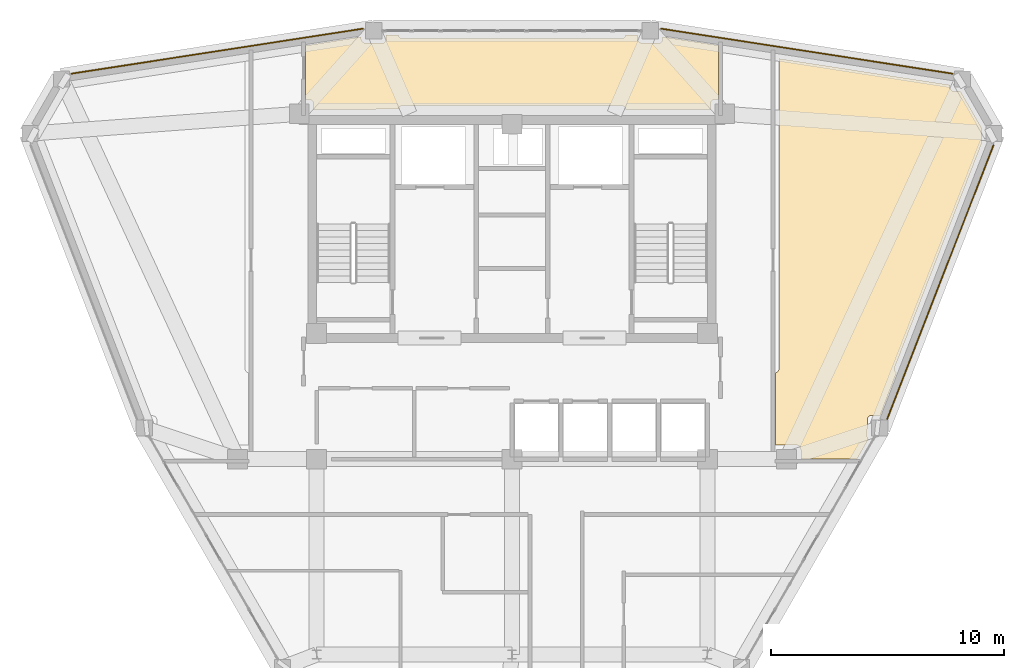
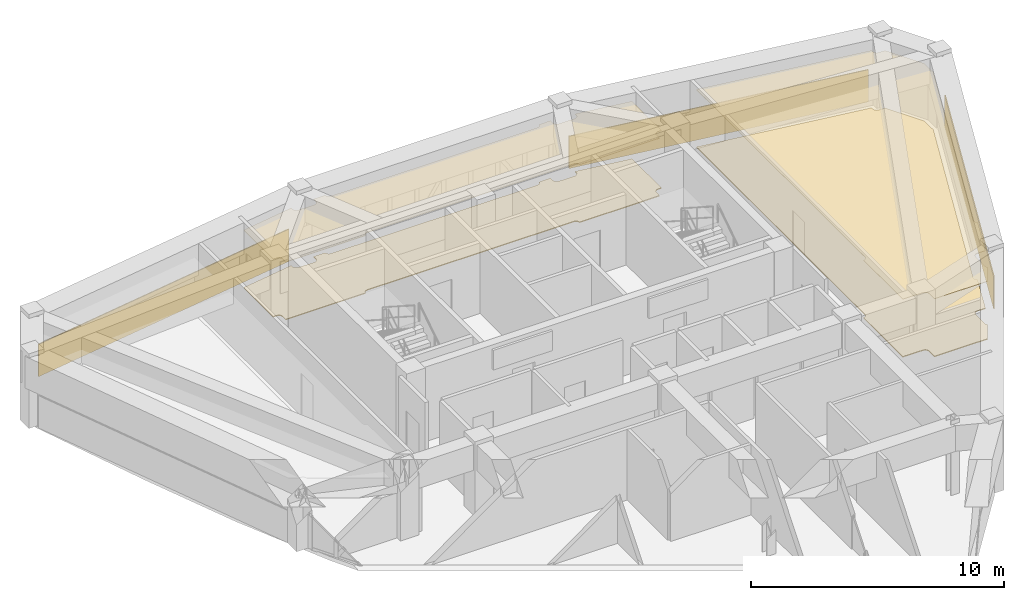
# One storey, part 16 of 16: 7 coverings.
"""IFC4 building model written with IfcOpenShell, lengths in metres."""

import ifcopenshell
import ifcopenshell.guid

model = None  # the IFC model being written
_history = None  # IfcOwnerHistory: only IFC2X3 demands one
_inside = {}  # id of a spatial element -> (the spatial element, [elements in it])
_under = {}  # id of a project, library or spatial element -> (it, [spatial elements below it])
_declared = {}  # id of a project -> (the project, [libraries it declares])
_typed = {}  # id of a type object -> (the type object, [elements of that type])
_made_of = {}  # id of a material, layer set ... -> (it, [elements and type objects made of it])


def new_model(schema):
    """Start an empty IFC model of exactly this schema.

    Asked for "IFC4X3", IfcOpenShell would pick the latest addendum, in which some entities
    have other attributes; the version numbers below select the first issue.
    IFC2X3 requires an IfcOwnerHistory on every rooted entity: one is made here for all.
    """
    global model, _history
    if schema == "IFC4X3":
        model = ifcopenshell.file(schema_version=(4, 3, 0, 0))
    else:
        model = ifcopenshell.file(schema=schema)
    _inside.clear()
    _under.clear()
    _declared.clear()
    _typed.clear()
    _made_of.clear()
    _history = None
    if model.schema == "IFC2X3":
        org = make("IfcOrganization", Name="unknown")
        user = make(
            "IfcPersonAndOrganization",
            ThePerson=make("IfcPerson", FamilyName="unknown"),
            TheOrganization=org,
        )
        app = make(
            "IfcApplication",
            ApplicationDeveloper=org,
            Version="unknown",
            ApplicationFullName="unknown",
            ApplicationIdentifier="unknown",
        )
        _history = make(
            "IfcOwnerHistory",
            OwningUser=user,
            OwningApplication=app,
            ChangeAction="ADDED",
            CreationDate=0,
        )
    return model


def make(cls, **values):
    """One entity of the class cls with the attributes given. An attribute that is None is left unset."""
    return model.create_entity(
        cls, **{name: value for name, value in values.items() if value is not None}
    )


def rooted(cls, **values):
    """An entity with a GlobalId (a new one), such as an element, a storey or a relation."""
    return make(cls, GlobalId=ifcopenshell.guid.new(), OwnerHistory=_history, **values)


def si_unit(unit_type, name, prefix=None):
    """IfcSIUnit, for example si_unit("LENGTHUNIT", "METRE", prefix="MILLI")."""
    return make("IfcSIUnit", UnitType=unit_type, Prefix=prefix, Name=name)


def derived_unit(unit_type, elements):
    """IfcDerivedUnit: a product of units, each with its exponent."""
    return make(
        "IfcDerivedUnit",
        Elements=[
            make("IfcDerivedUnitElement", Unit=unit, Exponent=power)
            for unit, power in elements
        ],
        UnitType=unit_type,
    )


def assignment(units):
    """IfcUnitAssignment: the units of a project."""
    return None if units is None else make("IfcUnitAssignment", Units=units)


def point(xyz):
    """IfcCartesianPoint."""
    return None if xyz is None else make("IfcCartesianPoint", Coordinates=xyz)


def direction(xyz):
    """IfcDirection."""
    return None if xyz is None else make("IfcDirection", DirectionRatios=xyz)


def frame(location, z_axis=None, x_axis=None):
    """IfcAxis2Placement3D, a coordinate frame: its origin and axes. An axis left out is left unset."""
    return make(
        "IfcAxis2Placement3D",
        Location=point(location),
        Axis=direction(z_axis),
        RefDirection=direction(x_axis),
    )


def origin():
    """The frame at (0, 0, 0) with its axes left unset."""
    return frame((0.0, 0.0, 0.0))


def place(relative_to, where):
    """IfcLocalPlacement: puts the frame where relative to a parent placement (None: the world)."""
    return make(
        "IfcLocalPlacement", PlacementRelTo=relative_to, RelativePlacement=where
    )


def context(
    kind, dimensions, precision=None, world=None, true_north=None, identifier=None
):
    """IfcGeometricRepresentationContext, for example the 3D "Model" context."""
    return make(
        "IfcGeometricRepresentationContext",
        ContextIdentifier=identifier,
        ContextType=kind,
        CoordinateSpaceDimension=dimensions,
        Precision=precision,
        WorldCoordinateSystem=world,
        TrueNorth=true_north,
    )


def subcontext(parent, identifier, kind, view, scale=None):
    """IfcGeometricRepresentationSubContext, for example "Body" below "Model"."""
    return make(
        "IfcGeometricRepresentationSubContext",
        ContextIdentifier=identifier,
        ContextType=kind,
        ParentContext=parent,
        TargetScale=scale,
        TargetView=view,
    )


def project(units=None, contexts=None):
    """IfcProject with its units and contexts."""
    return rooted(
        "IfcProject",
        Name="project",
        RepresentationContexts=contexts,
        UnitsInContext=assignment(units),
    )


def spatial(cls, under=None, at=None, **own):
    """A site, building, storey or space (cls), placed at a placement, below another one or the project."""
    s = rooted(cls, ObjectPlacement=at, **own)
    if under is not None:
        _under.setdefault(under.id(), (under, []))[1].append(s)
    return s


def polyline(points):
    """IfcPolyline through the points."""
    return make("IfcPolyline", Points=[point(p) for p in points])


def outline(outer, holes=None, kind="AREA"):
    """IfcArbitraryClosedProfileDef: a profile drawn as a closed curve; with holes, ...WithVoids."""
    if holes is None:
        return make("IfcArbitraryClosedProfileDef", ProfileType=kind, OuterCurve=outer)
    return make(
        "IfcArbitraryProfileDefWithVoids",
        ProfileType=kind,
        OuterCurve=outer,
        InnerCurves=holes,
    )


def extrude(swept, where, along, depth):
    """IfcExtrudedAreaSolid: the profile swept, set in the frame where, extruded along a direction by depth."""
    return make(
        "IfcExtrudedAreaSolid",
        SweptArea=swept,
        Position=where,
        ExtrudedDirection=direction(along),
        Depth=depth,
    )


def shape(context_of_items, identifier, shape_type, items):
    """IfcShapeRepresentation: the items that make up one representation, for example the "Body"."""
    return make(
        "IfcShapeRepresentation",
        ContextOfItems=context_of_items,
        RepresentationIdentifier=identifier,
        RepresentationType=shape_type,
        Items=items,
    )


def material(Name=None, Category=None):
    """IfcMaterial."""
    return make("IfcMaterial", Name=Name, Category=Category)


def layer(
    of_material, thickness, ventilated=None, Name=None, Category=None, Priority=None
):
    """IfcMaterialLayer: one layer of a wall or slab, of a material (None: an air gap)."""
    return make(
        "IfcMaterialLayer",
        Material=of_material,
        LayerThickness=thickness,
        IsVentilated=ventilated,
        Name=Name,
        Category=Category,
        Priority=Priority,
    )


def layer_set(layers, Name=None):
    """IfcMaterialLayerSet."""
    return make("IfcMaterialLayerSet", MaterialLayers=layers, LayerSetName=Name)


def made_of(thing, what):
    """Note that an element or type object is made of a material, layer set ...; save() writes the relation."""
    if what is not None:
        _made_of.setdefault(what.id(), (what, []))[1].append(thing)
    return thing


def type_object(cls, material=None, **own):
    """A type object (cls), such as IfcWallType, which elements share."""
    return made_of(rooted(cls, **own), material)


def element(
    cls,
    number,
    at=None,
    inside=None,
    cuts=None,
    type_object=None,
    material=None,
    context=None,
    identifier="Body",
    shape_type=None,
    held_by="IfcProductDefinitionShape",
    body=None,
    shapes=None,
    **own,
):
    """One element of the class cls, such as IfcWall. Its Tag is "e" and its number.

    at: its placement. inside: the storey or other place that contains it. cuts: it is an
    opening in that element (IfcRelVoidsElement). A single representation is given by context,
    identifier, shape_type and body (its items); several are given by shapes. held_by: the class
    of the entity that holds the representations. save() writes the other relations.
    """
    e = rooted(cls, Tag="e%d" % number, ObjectPlacement=at, **own)
    if body is not None:
        shapes = [shape(context, identifier, shape_type, body)]
    if shapes is not None:
        e.Representation = make(held_by, Representations=shapes)
    if inside is not None:
        _inside.setdefault(inside.id(), (inside, []))[1].append(e)
    if cuts is not None:
        rooted(
            "IfcRelVoidsElement", RelatingBuildingElement=cuts, RelatedOpeningElement=e
        )
    if type_object is not None:
        _typed.setdefault(type_object.id(), (type_object, []))[1].append(e)
    return made_of(e, material)


def aggregate(whole, parts):
    """IfcRelAggregates: a whole, such as a stair, and the parts it consists of."""
    return rooted("IfcRelAggregates", RelatingObject=whole, RelatedObjects=parts)


def save(model, path):
    """Write the relations noted so far, then the file.

    IfcRelAggregates (storeys below a building ...), IfcRelContainedInSpatialStructure (elements
    in a storey), IfcRelDefinesByType, IfcRelAssociatesMaterial and IfcRelDeclares: one each for
    every whole, place, type object, material and project.
    """
    for whole, parts in _under.values():
        aggregate(whole, parts)
    for where, things in _inside.values():
        rooted(
            "IfcRelContainedInSpatialStructure",
            RelatedElements=things,
            RelatingStructure=where,
        )
    for kind, things in _typed.values():
        rooted("IfcRelDefinesByType", RelatedObjects=things, RelatingType=kind)
    for what, things in _made_of.values():
        rooted("IfcRelAssociatesMaterial", RelatedObjects=things, RelatingMaterial=what)
    for by, libraries in _declared.values():
        rooted("IfcRelDeclares", RelatingContext=by, RelatedDefinitions=libraries)
    model.write(path)


model = new_model("IFC4")

# Units and contexts
model_context = context("Model", 3, precision=1e-05, world=origin(), true_north=direction((0.0, 1.0)))
body_context = subcontext(model_context, "Body", "Model", "MODEL_VIEW")
ifc_project = project(units=[si_unit("LENGTHUNIT", "METRE"), si_unit("AREAUNIT", "SQUARE_METRE"), si_unit("VOLUMEUNIT", "CUBIC_METRE"), si_unit("PLANEANGLEUNIT", "RADIAN"), si_unit("MASSUNIT", "GRAM", prefix="KILO"), derived_unit("THERMALTRANSMITTANCEUNIT", [(si_unit("POWERUNIT", "WATT"), 1), (si_unit("LENGTHUNIT", "METRE"), -2), (si_unit("THERMODYNAMICTEMPERATUREUNIT", "KELVIN"), -1)])], contexts=[model_context])

# Site, building, storey
site_placement = place(None, origin())
site = spatial("IfcSite", under=ifc_project, at=site_placement, CompositionType="ELEMENT")
building_placement = place(site_placement, origin())
building = spatial("IfcBuilding", under=site, at=building_placement, Name="Korsvarv Bourse and Concert Hall", CompositionType="ELEMENT")
storey_placement = place(building_placement, frame((0.0, 0.0, 261.0)))
storey = spatial("IfcBuildingStorey", under=building, at=storey_placement, Name="L68", CompositionType="ELEMENT", Elevation=261.0)

# Coverings
ifc_material_1 = material(Name="Perforated mineral-wool and birch acoustic baffle ceiling", Category="wood")
ifc_layer_1 = layer(ifc_material_1, 0.02490234375)
ifc_layer_set_1 = layer_set([ifc_layer_1], Name="Perforated mineral-wool and birch acoustic baffle ceiling")
covering_type_1 = type_object("IfcCoveringType", Name="COV-CEIL-1", PredefinedType="CEILING", material=ifc_layer_set_1)
covering_1_placement = place(storey_placement, frame((0.0, 0.0, 2.7900390625)))
element("IfcCovering", 1, at=covering_1_placement, inside=storey, type_object=covering_type_1, Name="L68 acoustic baffle ceiling 2", PredefinedType="CEILING", context=body_context, shape_type="SweptSolid", body=[
    extrude(outline(polyline([(47.320068359375, 36.111328125), (47.34521484375, 36.11572265625), (47.37939453125, 36.12841796875), (47.41015625, 36.147705078125), (47.4365234375, 36.1728515625), (47.45751953125, 36.20263671875), (47.4716796875, 36.236083984375), (47.47900390625, 36.271728515625), (47.47998046875, 49.623779296875), (54.82861328125, 48.48828125), (54.82861328125, 48.39892578125), (54.831787109375, 48.364501953125), (54.841796875, 48.331298828125), (54.85791015625, 48.300537109375), (54.879638671875, 48.2734375), (54.906005859375, 48.2509765625), (54.936279296875, 48.234130859375), (54.969482421875, 48.223388671875), (55.00390625, 48.218994140625), (55.2861328125, 48.211669921875), (56.185302734375, 46.654296875), (56.185302734375, 46.049072265625), (56.188720703125, 46.01416015625), (56.198486328125, 45.981689453125), (52.456787109375, 36.343994140625), (52.447265625, 36.30908203125), (52.44482421875, 36.272705078125), (52.44970703125, 36.23681640625), (52.4619140625, 36.202392578125), (52.480712890625, 36.171142578125), (52.505126953125, 36.144287109375), (52.53466796875, 36.123046875), (51.826416015625, 34.27783203125), (51.459716796875, 34.27783203125), (51.4248046875, 34.2744140625), (51.391357421875, 34.264404296875), (51.360595703125, 34.248046875), (51.333251953125, 34.22607421875), (51.310791015625, 34.19921875), (51.294189453125, 34.16845703125), (51.28369140625, 34.135009765625), (51.27978515625, 34.100341796875), (51.269775390625, 33.390380859375), (51.27294921875, 33.35400390625), (51.283203125, 33.319091796875), (51.300537109375, 33.287109375), (51.32373046875, 33.25927734375), (50.826416015625, 32.394775390625), (50.801513671875, 32.402099609375), (50.76611328125, 32.405517578125), (48.4150390625, 32.40966796875), (48.4150390625, 32.824951171875), (48.41162109375, 32.85986328125), (48.401611328125, 32.893310546875), (48.385009765625, 32.92431640625), (48.363037109375, 32.951416015625), (48.336181640625, 32.973876953125), (48.305419921875, 32.99072265625), (48.27197265625, 33.001220703125), (48.237060546875, 33.0048828125), (47.377197265625, 33.014892578125), (47.342041015625, 33.011962890625), (47.320068359375, 33.006103515625), (47.320068359375, 36.111328125)])), origin(), (0.0, 0.0, 1.0), 0.02490234375),
])
covering_2_placement = place(storey_placement, frame((0.0, 0.0, 2.7900390625)))
element("IfcCovering", 2, at=covering_2_placement, inside=storey, type_object=covering_type_1, Name="L68 acoustic baffle ceiling 3", PredefinedType="CEILING", context=body_context, shape_type="SweptSolid", body=[
    extrude(outline(polyline([(29.514404296875, 50.55712890625), (29.514404296875, 50.47265625), (29.517578125, 50.43798828125), (29.52783203125, 50.404296875), (29.544189453125, 50.37353515625), (29.566162109375, 50.34619140625), (29.593017578125, 50.323974609375), (29.623779296875, 50.30712890625), (29.656982421875, 50.296630859375), (29.69189453125, 50.292724609375), (30.40185546875, 50.28271484375), (30.4365234375, 50.28564453125), (30.47021484375, 50.295166015625), (30.50146484375, 50.31103515625), (30.52880859375, 50.332763671875), (30.5517578125, 50.359375), (30.56884765625, 50.389892578125), (30.579833984375, 50.423095703125), (30.584228515625, 50.457763671875), (30.58935546875, 50.642578125), (31.111328125, 50.642578125), (31.11572265625, 50.617431640625), (31.12841796875, 50.58349609375), (31.147705078125, 50.552490234375), (31.1728515625, 50.526123046875), (31.20263671875, 50.50537109375), (31.236083984375, 50.490966796875), (31.271728515625, 50.483642578125), (40.7099609375, 50.482666015625), (40.74609375, 50.486328125), (40.781005859375, 50.497314453125), (40.812744140625, 50.514892578125), (40.84033203125, 50.538818359375), (40.86279296875, 50.5673828125), (40.87890625, 50.60009765625), (40.887939453125, 50.635498046875), (41.40576171875, 50.642578125), (41.40576171875, 50.47265625), (41.4091796875, 50.43798828125), (41.419189453125, 50.404296875), (41.435546875, 50.37353515625), (41.45751953125, 50.34619140625), (41.484375, 50.323974609375), (41.51513671875, 50.30712890625), (41.54833984375, 50.296630859375), (41.583251953125, 50.292724609375), (42.293212890625, 50.28271484375), (42.327880859375, 50.28564453125), (42.361328125, 50.295166015625), (42.392578125, 50.31103515625), (42.419921875, 50.33251953125), (42.442626953125, 50.35888671875), (42.4599609375, 50.38916015625), (42.47119140625, 50.422119140625), (42.4755859375, 50.456787109375), (42.47900390625, 50.55810546875), (44.87060546875, 50.188720703125), (44.8701171875, 47.864990234375), (44.72509765625, 47.864990234375), (44.6904296875, 47.861572265625), (44.656982421875, 47.851806640625), (44.626220703125, 47.83544921875), (44.59912109375, 47.813720703125), (44.576904296875, 47.787109375), (44.559814453125, 47.7568359375), (44.54931640625, 47.7236328125), (44.544921875, 47.689208984375), (44.539306640625, 47.43994140625), (40.888671875, 47.43994140625), (40.88427734375, 47.465087890625), (40.87158203125, 47.499267578125), (40.852294921875, 47.5302734375), (40.8271484375, 47.556640625), (40.79736328125, 47.577392578125), (40.763916015625, 47.591796875), (40.728271484375, 47.59912109375), (31.2900390625, 47.60009765625), (31.25390625, 47.59619140625), (31.218994140625, 47.58544921875), (31.187255859375, 47.567626953125), (31.15966796875, 47.5439453125), (31.13720703125, 47.51513671875), (31.12109375, 47.482421875), (31.112060546875, 47.447265625), (27.465087890625, 47.43994140625), (27.465087890625, 47.675048828125), (27.461669921875, 47.70947265625), (27.451904296875, 47.74267578125), (27.435791015625, 47.773193359375), (27.414306640625, 47.80029296875), (27.3876953125, 47.82275390625), (27.357666015625, 47.839599609375), (27.32470703125, 47.8505859375), (27.290283203125, 47.85498046875), (27.1298828125, 47.859619140625), (27.1298828125, 50.178955078125), (29.514404296875, 50.55712890625)])), origin(), (0.0, 0.0, 1.0), 0.02490234375),
])
ifc_material_2 = material(Name="Warm iron-oxide extruded terracotta rainscreen tile", Category="ceramic")
ifc_layer_2 = layer(ifc_material_2, 0.044921875)
ifc_layer_set_2 = layer_set([ifc_layer_2], Name="Warm iron-oxide extruded terracotta rainscreen tile")
covering_type_2 = type_object("IfcCoveringType", Name="COV-CLD-TC", PredefinedType="CLADDING", material=ifc_layer_set_2)
covering_3_placement = place(storey_placement, origin())
element("IfcCovering", 3, at=covering_3_placement, inside=storey, type_object=covering_type_2, Name="L68 fluted terracotta cladding panel EW-L68-B02", PredefinedType="CLADDING", context=body_context, shape_type="SweptSolid", body=[
    extrude(outline(polyline([(54.955078125, 48.949462890625), (42.400390625, 50.88916015625), (42.4072265625, 50.93359375), (54.9619140625, 48.993896484375), (54.955078125, 48.949462890625)])), origin(), (0.0, 0.0, 1.0), 1.56005859375),
])
covering_4_placement = place(storey_placement, origin())
element("IfcCovering", 4, at=covering_4_placement, inside=storey, type_object=covering_type_2, Name="L68 fluted terracotta cladding panel EW-L68-B04", PredefinedType="CLADDING", context=body_context, shape_type="SweptSolid", body=[
    extrude(outline(polyline([(29.599609375, 50.88916015625), (17.044921875, 48.949462890625), (17.0380859375, 48.993896484375), (29.5927734375, 50.93359375), (29.599609375, 50.88916015625)])), origin(), (0.0, 0.0, 1.0), 1.56005859375),
])
covering_5_placement = place(storey_placement, origin())
element("IfcCovering", 5, at=covering_5_placement, inside=storey, type_object=covering_type_2, Name="L68 fluted terracotta cladding panel EW-L68-B12", PredefinedType="CLADDING", context=body_context, shape_type="SweptSolid", body=[
    extrude(outline(polyline([(52.102294921875, 34.118408203125), (56.684326171875, 45.920654296875), (56.726318359375, 45.904296875), (52.144287109375, 34.102294921875), (52.102294921875, 34.118408203125)])), origin(), (0.0, 0.0, 1.0), 1.56005859375),
])
ifc_material_3 = material(Name="Calcium-sulphate raised access trading floor with Nordic oak top", Category="wood")
ifc_layer_3 = layer(ifc_material_3, 0.0400390625)
ifc_layer_set_3 = layer_set([ifc_layer_3], Name="Calcium-sulphate raised access trading floor with Nordic oak top")
covering_type_3 = type_object("IfcCoveringType", Name="COV-FLOR-1", PredefinedType="FLOORING", material=ifc_layer_set_3)
covering_6_placement = place(storey_placement, origin())
element("IfcCovering", 6, at=covering_6_placement, inside=storey, type_object=covering_type_3, Name="L68 raised access oak floor finish 2", PredefinedType="FLOORING", context=body_context, shape_type="SweptSolid", body=[
    extrude(outline(polyline([(47.320068359375, 36.111328125), (47.34521484375, 36.11572265625), (47.37939453125, 36.12841796875), (47.41015625, 36.147705078125), (47.4365234375, 36.1728515625), (47.45751953125, 36.20263671875), (47.4716796875, 36.236083984375), (47.47900390625, 36.271728515625), (47.47998046875, 49.623779296875), (54.82861328125, 48.48828125), (54.82861328125, 48.39892578125), (54.831787109375, 48.364501953125), (54.841796875, 48.331298828125), (54.85791015625, 48.300537109375), (54.879638671875, 48.2734375), (54.906005859375, 48.2509765625), (54.936279296875, 48.234130859375), (54.969482421875, 48.223388671875), (55.00390625, 48.218994140625), (55.2861328125, 48.211669921875), (56.185302734375, 46.654296875), (56.185302734375, 46.049072265625), (56.188720703125, 46.01416015625), (56.198486328125, 45.981689453125), (52.456787109375, 36.343994140625), (52.447265625, 36.30908203125), (52.44482421875, 36.272705078125), (52.44970703125, 36.23681640625), (52.4619140625, 36.202392578125), (52.480712890625, 36.171142578125), (52.505126953125, 36.144287109375), (52.53466796875, 36.123046875), (51.826416015625, 34.27783203125), (51.459716796875, 34.27783203125), (51.4248046875, 34.2744140625), (51.391357421875, 34.264404296875), (51.360595703125, 34.248046875), (51.333251953125, 34.22607421875), (51.310791015625, 34.19921875), (51.294189453125, 34.16845703125), (51.28369140625, 34.135009765625), (51.27978515625, 34.100341796875), (51.269775390625, 33.390380859375), (51.27294921875, 33.35400390625), (51.283203125, 33.319091796875), (51.300537109375, 33.287109375), (51.32373046875, 33.25927734375), (50.826416015625, 32.394775390625), (50.801513671875, 32.402099609375), (50.76611328125, 32.405517578125), (48.4150390625, 32.40966796875), (48.4150390625, 32.824951171875), (48.41162109375, 32.85986328125), (48.401611328125, 32.893310546875), (48.385009765625, 32.92431640625), (48.363037109375, 32.951416015625), (48.336181640625, 32.973876953125), (48.305419921875, 32.99072265625), (48.27197265625, 33.001220703125), (48.237060546875, 33.0048828125), (47.377197265625, 33.014892578125), (47.342041015625, 33.011962890625), (47.320068359375, 33.006103515625), (47.320068359375, 36.111328125)])), origin(), (0.0, 0.0, 1.0), 0.0400390625),
])
covering_7_placement = place(storey_placement, origin())
element("IfcCovering", 7, at=covering_7_placement, inside=storey, type_object=covering_type_3, Name="L68 raised access oak floor finish 3", PredefinedType="FLOORING", context=body_context, shape_type="SweptSolid", body=[
    extrude(outline(polyline([(29.514404296875, 50.55712890625), (29.514404296875, 50.47265625), (29.517578125, 50.43798828125), (29.52783203125, 50.404296875), (29.544189453125, 50.37353515625), (29.566162109375, 50.34619140625), (29.593017578125, 50.323974609375), (29.623779296875, 50.30712890625), (29.656982421875, 50.296630859375), (29.69189453125, 50.292724609375), (30.40185546875, 50.28271484375), (30.4365234375, 50.28564453125), (30.47021484375, 50.295166015625), (30.50146484375, 50.31103515625), (30.52880859375, 50.332763671875), (30.5517578125, 50.359375), (30.56884765625, 50.389892578125), (30.579833984375, 50.423095703125), (30.584228515625, 50.457763671875), (30.58935546875, 50.642578125), (31.111328125, 50.642578125), (31.11572265625, 50.617431640625), (31.12841796875, 50.58349609375), (31.147705078125, 50.552490234375), (31.1728515625, 50.526123046875), (31.20263671875, 50.50537109375), (31.236083984375, 50.490966796875), (31.271728515625, 50.483642578125), (40.7099609375, 50.482666015625), (40.74609375, 50.486328125), (40.781005859375, 50.497314453125), (40.812744140625, 50.514892578125), (40.84033203125, 50.538818359375), (40.86279296875, 50.5673828125), (40.87890625, 50.60009765625), (40.887939453125, 50.635498046875), (41.40576171875, 50.642578125), (41.40576171875, 50.47265625), (41.4091796875, 50.43798828125), (41.419189453125, 50.404296875), (41.435546875, 50.37353515625), (41.45751953125, 50.34619140625), (41.484375, 50.323974609375), (41.51513671875, 50.30712890625), (41.54833984375, 50.296630859375), (41.583251953125, 50.292724609375), (42.293212890625, 50.28271484375), (42.327880859375, 50.28564453125), (42.361328125, 50.295166015625), (42.392578125, 50.31103515625), (42.419921875, 50.33251953125), (42.442626953125, 50.35888671875), (42.4599609375, 50.38916015625), (42.47119140625, 50.422119140625), (42.4755859375, 50.456787109375), (42.47900390625, 50.55810546875), (44.87060546875, 50.188720703125), (44.8701171875, 47.864990234375), (44.72509765625, 47.864990234375), (44.6904296875, 47.861572265625), (44.656982421875, 47.851806640625), (44.626220703125, 47.83544921875), (44.59912109375, 47.813720703125), (44.576904296875, 47.787109375), (44.559814453125, 47.7568359375), (44.54931640625, 47.7236328125), (44.544921875, 47.689208984375), (44.539306640625, 47.43994140625), (40.888671875, 47.43994140625), (40.88427734375, 47.465087890625), (40.87158203125, 47.499267578125), (40.852294921875, 47.5302734375), (40.8271484375, 47.556640625), (40.79736328125, 47.577392578125), (40.763916015625, 47.591796875), (40.728271484375, 47.59912109375), (31.2900390625, 47.60009765625), (31.25390625, 47.59619140625), (31.218994140625, 47.58544921875), (31.187255859375, 47.567626953125), (31.15966796875, 47.5439453125), (31.13720703125, 47.51513671875), (31.12109375, 47.482421875), (31.112060546875, 47.447265625), (27.465087890625, 47.43994140625), (27.465087890625, 47.675048828125), (27.461669921875, 47.70947265625), (27.451904296875, 47.74267578125), (27.435791015625, 47.773193359375), (27.414306640625, 47.80029296875), (27.3876953125, 47.82275390625), (27.357666015625, 47.839599609375), (27.32470703125, 47.8505859375), (27.290283203125, 47.85498046875), (27.1298828125, 47.859619140625), (27.1298828125, 50.178955078125), (29.514404296875, 50.55712890625)])), origin(), (0.0, 0.0, 1.0), 0.0400390625),
])

save(model, "model.ifc")
